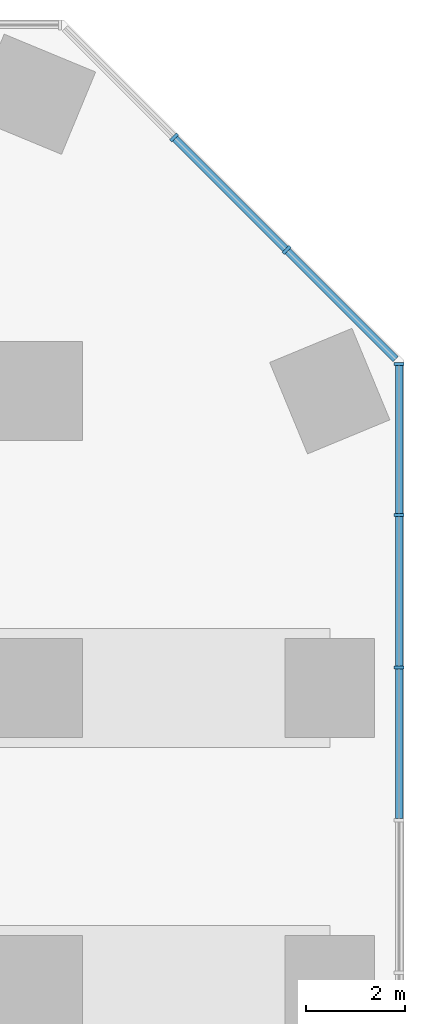
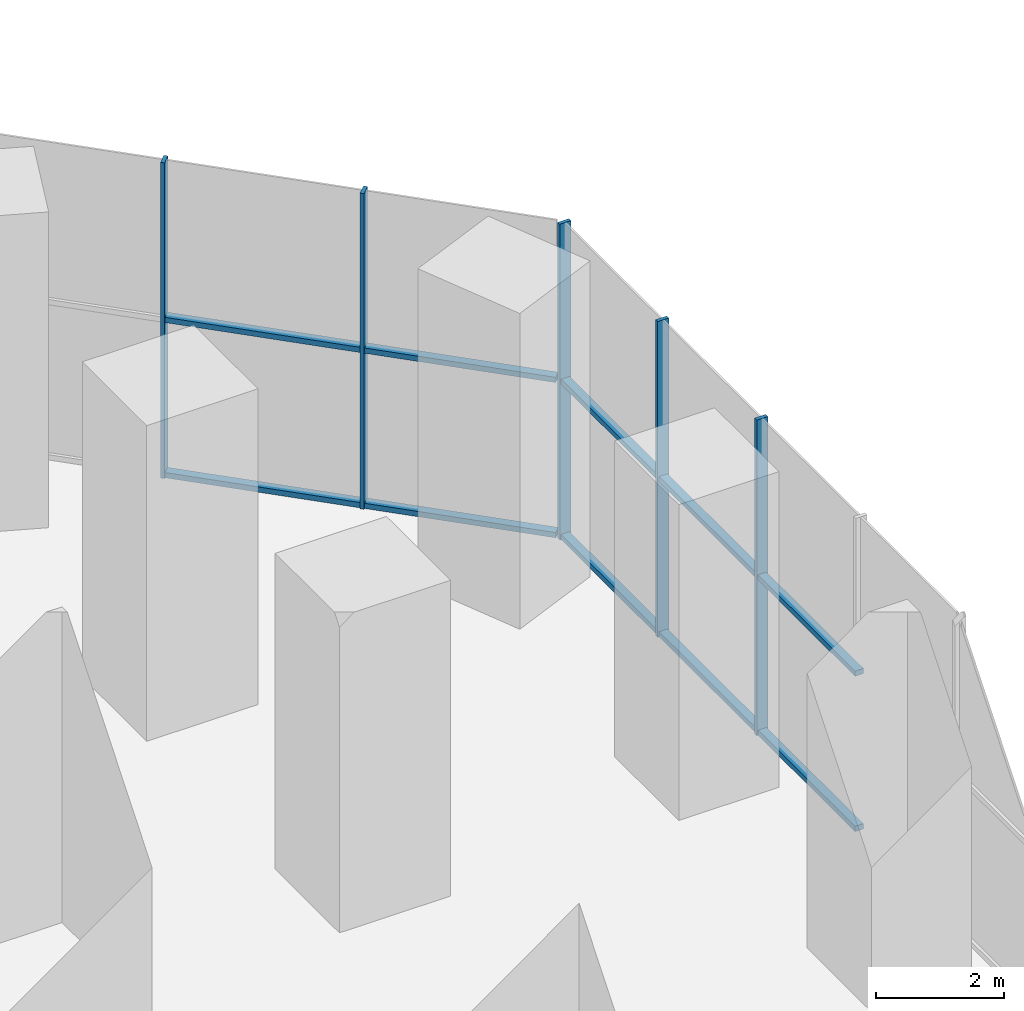
# One storey, part 9 of 21: 15 members, 2 elements without a shape of their own.
"""IFC4 building model written with IfcOpenShell, lengths in metres."""

from ifc_helpers import new_model, si_unit, direction, frame, origin, origin_2d, place, context, subcontext, project, spatial, rectangle, extrude, material, layer, layer_set, material_profile, profile_set, type_object, element, aggregate, save


model = new_model("IFC4")

# Units and contexts
model_context = context("Model", 3, precision=1e-05, world=origin(), true_north=direction((0.0, 1.0)))
body_context = subcontext(model_context, "Body", "Model", "MODEL_VIEW")
ifc_project = project(units=[si_unit("LENGTHUNIT", "METRE"), si_unit("AREAUNIT", "SQUARE_METRE"), si_unit("VOLUMEUNIT", "CUBIC_METRE"), si_unit("PLANEANGLEUNIT", "RADIAN"), si_unit("MASSUNIT", "GRAM", prefix="KILO")], contexts=[model_context])

# Site, building, storey
site_placement = place(None, origin())
site = spatial("IfcSite", under=ifc_project, at=site_placement, CompositionType="ELEMENT")
building_placement = place(site_placement, origin())
building = spatial("IfcBuilding", under=site, at=building_placement, Name="Highveld Stack Headquarters", CompositionType="ELEMENT")
storey_placement = place(building_placement, origin())
storey = spatial("IfcBuildingStorey", under=building, at=storey_placement, Name="L00", CompositionType="ELEMENT", Elevation=0.0)

# Curtain wall, members
ifc_material_1 = material(Name="Aluminium bronze anodised", Category="aluminium")
ifc_layer = layer(ifc_material_1, 0.199951171875)
ifc_layer_set = layer_set([ifc_layer], Name="Aluminium bronze anodised")
curtain_wall_type = type_object("IfcCurtainWallType", Name="CW3 PODIUM STICK CURTAIN WALL", PredefinedType="NOTDEFINED", material=ifc_layer_set)
curtain_wall_1_placement = place(storey_placement, origin())
curtain_wall_1 = element("IfcCurtainWall", 1, at=curtain_wall_1_placement, inside=storey, type_object=curtain_wall_type, Name="Curtain wall CW3 L00 E", PredefinedType="NOTDEFINED")
ifc_material_2 = material(Name="Aluminium bronze anodised", Category="aluminium")
ifc_material_profile_1 = material_profile(ifc_material_2, rectangle(XDim=0.199951171875, YDim=0.06494140625, at=origin_2d()), Name="CW3 MULLION 65x200")
ifc_profile_set_1 = profile_set([ifc_material_profile_1], Name="Aluminium bronze anodised")
member_type_1 = type_object("IfcMemberType", Name="CW3 MULLION 65x200", PredefinedType="MULLION", material=ifc_profile_set_1)
member_1_placement = place(storey_placement, frame((37.39990234375, 18.414306640625, 0.0), z_axis=(0.0, 0.0, 1.0), x_axis=(-1.0, 0.0, 0.0)))
member_1 = element("IfcMember", 2, at=member_1_placement, type_object=member_type_1, Name="CW3 mullion L00 11", PredefinedType="MULLION", context=body_context, shape_type="SweptSolid", body=[
    extrude(rectangle(XDim=0.199951171875, YDim=0.06494140625, at=origin_2d()), origin(), (0.0, 0.0, 1.0), 6.0),
])
member_2_placement = place(storey_placement, frame((37.39990234375, 21.4970703125, 0.0), z_axis=(0.0, 0.0, 1.0), x_axis=(-1.0, 0.0, 0.0)))
member_2 = element("IfcMember", 3, at=member_2_placement, type_object=member_type_1, Name="CW3 mullion L00 12", PredefinedType="MULLION", context=body_context, shape_type="SweptSolid", body=[
    extrude(rectangle(XDim=0.199951171875, YDim=0.06494140625, at=origin_2d()), origin(), (0.0, 0.0, 1.0), 6.0),
])
member_3_placement = place(storey_placement, frame((37.39990234375, 24.54736328125, 0.0), z_axis=(0.0, 0.0, 1.0), x_axis=(-1.0, 0.0, 0.0)))
member_3 = element("IfcMember", 4, at=member_3_placement, type_object=member_type_1, Name="CW3 mullion L00 13", PredefinedType="MULLION", context=body_context, shape_type="SweptSolid", body=[
    extrude(rectangle(XDim=0.199951171875, YDim=0.06494140625, at=origin_2d()), origin(), (0.0, 0.0, 1.0), 6.0),
])

curtain_wall_2_placement = place(storey_placement, origin())
curtain_wall_2 = element("IfcCurtainWall", 5, at=curtain_wall_2_placement, inside=storey, type_object=curtain_wall_type, Name="Curtain wall CW3 L00 NE", PredefinedType="NOTDEFINED")
member_4_placement = place(storey_placement, frame((35.126708984375, 26.853271484375, 0.0), z_axis=(0.0, 0.0, 1.0), x_axis=(-0.707106781187, -0.707106781187, 0.0)))
member_4 = element("IfcMember", 6, at=member_4_placement, type_object=member_type_1, Name="CW3 mullion L00 1", PredefinedType="MULLION", context=body_context, shape_type="SweptSolid", body=[
    extrude(rectangle(XDim=0.199951171875, YDim=0.06494140625, at=origin_2d()), origin(), (0.0, 0.0, 1.0), 6.0),
])
member_5_placement = place(storey_placement, frame((32.853271484375, 29.126708984375, 0.0), z_axis=(0.0, 0.0, 1.0), x_axis=(-0.707106781187, -0.707106781187, 0.0)))
member_5 = element("IfcMember", 7, at=member_5_placement, type_object=member_type_1, Name="CW3 mullion L00 2", PredefinedType="MULLION", context=body_context, shape_type="SweptSolid", body=[
    extrude(rectangle(XDim=0.199951171875, YDim=0.06494140625, at=origin_2d()), origin(), (0.0, 0.0, 1.0), 6.0),
])

# Member
ifc_material_3 = material(Name="Aluminium bronze anodised", Category="aluminium")
ifc_material_profile_2 = material_profile(ifc_material_3, rectangle(XDim=0.14990234375, YDim=0.10009765625, at=origin_2d()), Name="CW3 TRANSOM 150x100")
ifc_profile_set_2 = profile_set([ifc_material_profile_2], Name="Aluminium bronze anodised")
member_type_2 = type_object("IfcMemberType", Name="CW3 STACK TRANSOM 150x100", PredefinedType="USERDEFINED", material=ifc_profile_set_2)
member_6_placement = place(storey_placement, frame((37.39990234375, 15.364013671875, 0.050048828125), z_axis=(0.0, 1.0, 0.0), x_axis=(-1.0, 0.0, 0.0)))
member_6 = element("IfcMember", 8, at=member_6_placement, type_object=member_type_2, Name="CW3 transom L00 12.1", ObjectType="TRANSOM", PredefinedType="USERDEFINED", context=body_context, shape_type="SweptSolid", body=[
    extrude(rectangle(XDim=0.14990234375, YDim=0.10009765625, at=origin_2d()), origin(), (0.0, 0.0, 1.0), 3.017578125),
])

member_7_placement = place(storey_placement, frame((37.39990234375, 15.364013671875, 3.0), z_axis=(0.0, 1.0, 0.0), x_axis=(-1.0, 0.0, 0.0)))
member_7 = element("IfcMember", 9, at=member_7_placement, type_object=member_type_2, Name="CW3 transom L00 12.2", ObjectType="TRANSOM", PredefinedType="USERDEFINED", context=body_context, shape_type="SweptSolid", body=[
    extrude(rectangle(XDim=0.14990234375, YDim=0.10009765625, at=origin_2d()), origin(), (0.0, 0.0, 1.0), 3.017578125),
])

member_8_placement = place(storey_placement, frame((37.39990234375, 18.44677734375, 0.050048828125), z_axis=(0.0, 1.0, 0.0), x_axis=(-1.0, 0.0, 0.0)))
member_8 = element("IfcMember", 10, at=member_8_placement, type_object=member_type_2, Name="CW3 transom L00 13.1", ObjectType="TRANSOM", PredefinedType="USERDEFINED", context=body_context, shape_type="SweptSolid", body=[
    extrude(rectangle(XDim=0.14990234375, YDim=0.10009765625, at=origin_2d()), origin(), (0.0, 0.0, 1.0), 3.017822265625),
])

member_9_placement = place(storey_placement, frame((37.39990234375, 18.44677734375, 3.0), z_axis=(0.0, 1.0, 0.0), x_axis=(-1.0, 0.0, 0.0)))
member_9 = element("IfcMember", 11, at=member_9_placement, type_object=member_type_2, Name="CW3 transom L00 13.2", ObjectType="TRANSOM", PredefinedType="USERDEFINED", context=body_context, shape_type="SweptSolid", body=[
    extrude(rectangle(XDim=0.14990234375, YDim=0.10009765625, at=origin_2d()), origin(), (0.0, 0.0, 1.0), 3.017822265625),
])

member_10_placement = place(storey_placement, frame((37.39990234375, 21.529541015625, 0.050048828125), z_axis=(0.0, 1.0, 0.0), x_axis=(-1.0, 0.0, 0.0)))
member_10 = element("IfcMember", 12, at=member_10_placement, type_object=member_type_2, Name="CW3 transom L00 14.1", ObjectType="TRANSOM", PredefinedType="USERDEFINED", context=body_context, shape_type="SweptSolid", body=[
    extrude(rectangle(XDim=0.14990234375, YDim=0.10009765625, at=origin_2d()), origin(), (0.0, 0.0, 1.0), 2.9853515625),
])

member_11_placement = place(storey_placement, frame((37.39990234375, 21.529541015625, 3.0), z_axis=(0.0, 1.0, 0.0), x_axis=(-1.0, 0.0, 0.0)))
member_11 = element("IfcMember", 13, at=member_11_placement, type_object=member_type_2, Name="CW3 transom L00 14.2", ObjectType="TRANSOM", PredefinedType="USERDEFINED", context=body_context, shape_type="SweptSolid", body=[
    extrude(rectangle(XDim=0.14990234375, YDim=0.10009765625, at=origin_2d()), origin(), (0.0, 0.0, 1.0), 2.9853515625),
])

aggregate(curtain_wall_1, [member_1, member_2, member_3, member_6, member_7, member_8, member_9, member_10, member_11])

member_12_placement = place(storey_placement, frame((37.329345703125, 24.650634765625, 0.050048828125), z_axis=(-0.707106781187, 0.707106781187, 0.0), x_axis=(-0.707106781187, -0.707106781187, 0.0)))
member_12 = element("IfcMember", 14, at=member_12_placement, type_object=member_type_2, Name="CW3 transom L00 1.1", ObjectType="TRANSOM", PredefinedType="USERDEFINED", context=body_context, shape_type="SweptSolid", body=[
    extrude(rectangle(XDim=0.14990234375, YDim=0.10009765625, at=origin_2d()), origin(), (0.0, 0.0, 1.0), 3.08251953125),
])

member_13_placement = place(storey_placement, frame((37.329345703125, 24.650634765625, 3.0), z_axis=(-0.707106781187, 0.707106781187, 0.0), x_axis=(-0.707106781187, -0.707106781187, 0.0)))
member_13 = element("IfcMember", 15, at=member_13_placement, type_object=member_type_2, Name="CW3 transom L00 1.2", ObjectType="TRANSOM", PredefinedType="USERDEFINED", context=body_context, shape_type="SweptSolid", body=[
    extrude(rectangle(XDim=0.14990234375, YDim=0.10009765625, at=origin_2d()), origin(), (0.0, 0.0, 1.0), 3.08251953125),
])

member_14_placement = place(storey_placement, frame((35.103759765625, 26.876220703125, 0.050048828125), z_axis=(-0.707106781187, 0.707106781187, 0.0), x_axis=(-0.707106781187, -0.707106781187, 0.0)))
member_14 = element("IfcMember", 16, at=member_14_placement, type_object=member_type_2, Name="CW3 transom L00 2.1", ObjectType="TRANSOM", PredefinedType="USERDEFINED", context=body_context, shape_type="SweptSolid", body=[
    extrude(rectangle(XDim=0.14990234375, YDim=0.10009765625, at=origin_2d()), origin(), (0.0, 0.0, 1.0), 3.150146484375),
])

member_15_placement = place(storey_placement, frame((35.103759765625, 26.876220703125, 3.0), z_axis=(-0.707106781187, 0.707106781187, 0.0), x_axis=(-0.707106781187, -0.707106781187, 0.0)))
member_15 = element("IfcMember", 17, at=member_15_placement, type_object=member_type_2, Name="CW3 transom L00 2.2", ObjectType="TRANSOM", PredefinedType="USERDEFINED", context=body_context, shape_type="SweptSolid", body=[
    extrude(rectangle(XDim=0.14990234375, YDim=0.10009765625, at=origin_2d()), origin(), (0.0, 0.0, 1.0), 3.150146484375),
])

aggregate(curtain_wall_2, [member_4, member_5, member_12, member_13, member_14, member_15])

save(model, "model.ifc")
